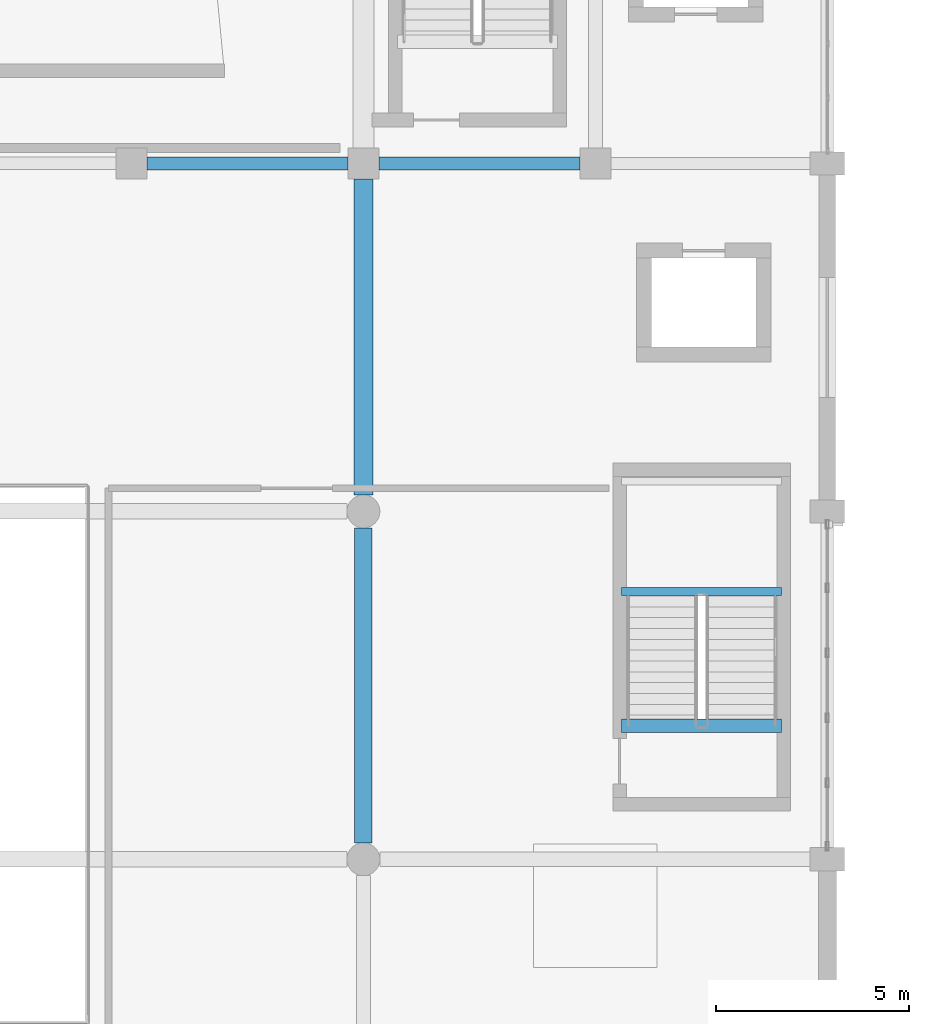
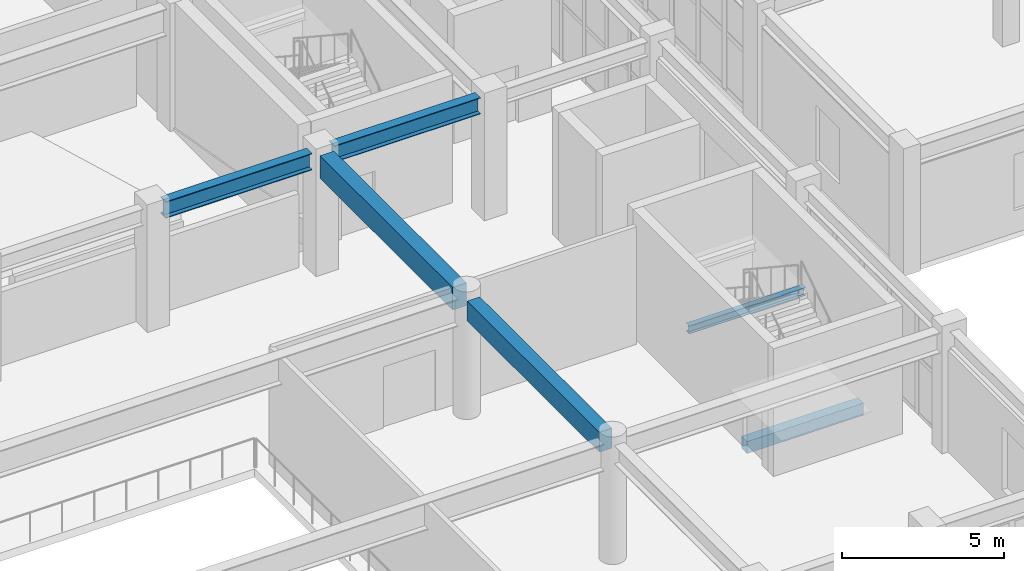
# One storey, part 25 of 96: 6 beams.
"""IFC4 building model written with IfcOpenShell, lengths in metres."""

import ifcopenshell
import ifcopenshell.guid

model = None  # the IFC model being written
_history = None  # IfcOwnerHistory: only IFC2X3 demands one
_inside = {}  # id of a spatial element -> (the spatial element, [elements in it])
_under = {}  # id of a project, library or spatial element -> (it, [spatial elements below it])
_declared = {}  # id of a project -> (the project, [libraries it declares])
_typed = {}  # id of a type object -> (the type object, [elements of that type])
_made_of = {}  # id of a material, layer set ... -> (it, [elements and type objects made of it])


def new_model(schema):
    """Start an empty IFC model of exactly this schema.

    Asked for "IFC4X3", IfcOpenShell would pick the latest addendum, in which some entities
    have other attributes; the version numbers below select the first issue.
    IFC2X3 requires an IfcOwnerHistory on every rooted entity: one is made here for all.
    """
    global model, _history
    if schema == "IFC4X3":
        model = ifcopenshell.file(schema_version=(4, 3, 0, 0))
    else:
        model = ifcopenshell.file(schema=schema)
    _inside.clear()
    _under.clear()
    _declared.clear()
    _typed.clear()
    _made_of.clear()
    _history = None
    if model.schema == "IFC2X3":
        org = make("IfcOrganization", Name="unknown")
        user = make(
            "IfcPersonAndOrganization",
            ThePerson=make("IfcPerson", FamilyName="unknown"),
            TheOrganization=org,
        )
        app = make(
            "IfcApplication",
            ApplicationDeveloper=org,
            Version="unknown",
            ApplicationFullName="unknown",
            ApplicationIdentifier="unknown",
        )
        _history = make(
            "IfcOwnerHistory",
            OwningUser=user,
            OwningApplication=app,
            ChangeAction="ADDED",
            CreationDate=0,
        )
    return model


def make(cls, **values):
    """One entity of the class cls with the attributes given. An attribute that is None is left unset."""
    return model.create_entity(
        cls, **{name: value for name, value in values.items() if value is not None}
    )


def rooted(cls, **values):
    """An entity with a GlobalId (a new one), such as an element, a storey or a relation."""
    return make(cls, GlobalId=ifcopenshell.guid.new(), OwnerHistory=_history, **values)


def si_unit(unit_type, name, prefix=None):
    """IfcSIUnit, for example si_unit("LENGTHUNIT", "METRE", prefix="MILLI")."""
    return make("IfcSIUnit", UnitType=unit_type, Prefix=prefix, Name=name)


def assignment(units):
    """IfcUnitAssignment: the units of a project."""
    return None if units is None else make("IfcUnitAssignment", Units=units)


def point(xyz):
    """IfcCartesianPoint."""
    return None if xyz is None else make("IfcCartesianPoint", Coordinates=xyz)


def direction(xyz):
    """IfcDirection."""
    return None if xyz is None else make("IfcDirection", DirectionRatios=xyz)


def frame(location, z_axis=None, x_axis=None):
    """IfcAxis2Placement3D, a coordinate frame: its origin and axes. An axis left out is left unset."""
    return make(
        "IfcAxis2Placement3D",
        Location=point(location),
        Axis=direction(z_axis),
        RefDirection=direction(x_axis),
    )


def frame_2d(location, x_axis=None):
    """IfcAxis2Placement2D, a coordinate frame in the plane: its origin and x axis."""
    return make(
        "IfcAxis2Placement2D", Location=point(location), RefDirection=direction(x_axis)
    )


def origin():
    """The frame at (0, 0, 0) with its axes left unset."""
    return frame((0.0, 0.0, 0.0))


def origin_2d():
    """The frame at (0, 0) in the plane with its x axis left unset."""
    return frame_2d((0.0, 0.0))


def place(relative_to, where):
    """IfcLocalPlacement: puts the frame where relative to a parent placement (None: the world)."""
    return make(
        "IfcLocalPlacement", PlacementRelTo=relative_to, RelativePlacement=where
    )


def context(
    kind, dimensions, precision=None, world=None, true_north=None, identifier=None
):
    """IfcGeometricRepresentationContext, for example the 3D "Model" context."""
    return make(
        "IfcGeometricRepresentationContext",
        ContextIdentifier=identifier,
        ContextType=kind,
        CoordinateSpaceDimension=dimensions,
        Precision=precision,
        WorldCoordinateSystem=world,
        TrueNorth=true_north,
    )


def subcontext(parent, identifier, kind, view, scale=None):
    """IfcGeometricRepresentationSubContext, for example "Body" below "Model"."""
    return make(
        "IfcGeometricRepresentationSubContext",
        ContextIdentifier=identifier,
        ContextType=kind,
        ParentContext=parent,
        TargetScale=scale,
        TargetView=view,
    )


def project(units=None, contexts=None):
    """IfcProject with its units and contexts."""
    return rooted(
        "IfcProject",
        Name="project",
        RepresentationContexts=contexts,
        UnitsInContext=assignment(units),
    )


def spatial(cls, under=None, at=None, **own):
    """A site, building, storey or space (cls), placed at a placement, below another one or the project."""
    s = rooted(cls, ObjectPlacement=at, **own)
    if under is not None:
        _under.setdefault(under.id(), (under, []))[1].append(s)
    return s


def profile(cls, at=None, kind="AREA", **sizes):
    """A parametric profile (cls). Its sizes go by their IFC names, for example OverallWidth=200.0."""
    return make(cls, ProfileType=kind, Position=at, **sizes)


def rectangle(**sizes):
    """IfcRectangleProfileDef."""
    return profile("IfcRectangleProfileDef", **sizes)


def i_section(**sizes):
    """IfcIShapeProfileDef."""
    return profile("IfcIShapeProfileDef", **sizes)


def extrude(swept, where, along, depth):
    """IfcExtrudedAreaSolid: the profile swept, set in the frame where, extruded along a direction by depth."""
    return make(
        "IfcExtrudedAreaSolid",
        SweptArea=swept,
        Position=where,
        ExtrudedDirection=direction(along),
        Depth=depth,
    )


def shape(context_of_items, identifier, shape_type, items):
    """IfcShapeRepresentation: the items that make up one representation, for example the "Body"."""
    return make(
        "IfcShapeRepresentation",
        ContextOfItems=context_of_items,
        RepresentationIdentifier=identifier,
        RepresentationType=shape_type,
        Items=items,
    )


def material(Name=None, Category=None):
    """IfcMaterial."""
    return make("IfcMaterial", Name=Name, Category=Category)


def material_profile(
    of_material, cross_section, Name=None, Category=None, Priority=None
):
    """IfcMaterialProfile: a cross section and its material."""
    return make(
        "IfcMaterialProfile",
        Name=Name,
        Material=of_material,
        Profile=cross_section,
        Priority=Priority,
        Category=Category,
    )


def profile_set(profiles, Name=None, composite=None):
    """IfcMaterialProfileSet."""
    return make(
        "IfcMaterialProfileSet",
        Name=Name,
        MaterialProfiles=profiles,
        CompositeProfile=composite,
    )


def made_of(thing, what):
    """Note that an element or type object is made of a material, layer set ...; save() writes the relation."""
    if what is not None:
        _made_of.setdefault(what.id(), (what, []))[1].append(thing)
    return thing


def type_object(cls, material=None, **own):
    """A type object (cls), such as IfcWallType, which elements share."""
    return made_of(rooted(cls, **own), material)


def element(
    cls,
    number,
    at=None,
    inside=None,
    cuts=None,
    type_object=None,
    material=None,
    context=None,
    identifier="Body",
    shape_type=None,
    held_by="IfcProductDefinitionShape",
    body=None,
    shapes=None,
    **own,
):
    """One element of the class cls, such as IfcWall. Its Tag is "e" and its number.

    at: its placement. inside: the storey or other place that contains it. cuts: it is an
    opening in that element (IfcRelVoidsElement). A single representation is given by context,
    identifier, shape_type and body (its items); several are given by shapes. held_by: the class
    of the entity that holds the representations. save() writes the other relations.
    """
    e = rooted(cls, Tag="e%d" % number, ObjectPlacement=at, **own)
    if body is not None:
        shapes = [shape(context, identifier, shape_type, body)]
    if shapes is not None:
        e.Representation = make(held_by, Representations=shapes)
    if inside is not None:
        _inside.setdefault(inside.id(), (inside, []))[1].append(e)
    if cuts is not None:
        rooted(
            "IfcRelVoidsElement", RelatingBuildingElement=cuts, RelatedOpeningElement=e
        )
    if type_object is not None:
        _typed.setdefault(type_object.id(), (type_object, []))[1].append(e)
    return made_of(e, material)


def aggregate(whole, parts):
    """IfcRelAggregates: a whole, such as a stair, and the parts it consists of."""
    return rooted("IfcRelAggregates", RelatingObject=whole, RelatedObjects=parts)


def save(model, path):
    """Write the relations noted so far, then the file.

    IfcRelAggregates (storeys below a building ...), IfcRelContainedInSpatialStructure (elements
    in a storey), IfcRelDefinesByType, IfcRelAssociatesMaterial and IfcRelDeclares: one each for
    every whole, place, type object, material and project.
    """
    for whole, parts in _under.values():
        aggregate(whole, parts)
    for where, things in _inside.values():
        rooted(
            "IfcRelContainedInSpatialStructure",
            RelatedElements=things,
            RelatingStructure=where,
        )
    for kind, things in _typed.values():
        rooted("IfcRelDefinesByType", RelatedObjects=things, RelatingType=kind)
    for what, things in _made_of.values():
        rooted("IfcRelAssociatesMaterial", RelatedObjects=things, RelatingMaterial=what)
    for by, libraries in _declared.values():
        rooted("IfcRelDeclares", RelatingContext=by, RelatedDefinitions=libraries)
    model.write(path)


model = new_model("IFC4")

# Units and contexts
model_context = context("Model", 3, precision=1e-05, world=origin(), true_north=direction((0.0, 1.0)))
body_context = subcontext(model_context, "Body", "Model", "MODEL_VIEW")
ifc_project = project(units=[si_unit("LENGTHUNIT", "METRE"), si_unit("AREAUNIT", "SQUARE_METRE"), si_unit("VOLUMEUNIT", "CUBIC_METRE"), si_unit("PLANEANGLEUNIT", "RADIAN"), si_unit("MASSUNIT", "GRAM", prefix="KILO")], contexts=[model_context])

# Site, building, storey
site_placement = place(None, origin())
site = spatial("IfcSite", under=ifc_project, at=site_placement, CompositionType="ELEMENT")
building_placement = place(site_placement, origin())
building = spatial("IfcBuilding", under=site, at=building_placement, Name="Vaelkrest Opera House", CompositionType="ELEMENT")
storey_placement = place(building_placement, frame((0.0, 0.0, 5.39990234375)))
storey = spatial("IfcBuildingStorey", under=building, at=storey_placement, Name="L01", CompositionType="ELEMENT", Elevation=5.39990234375)

# Beams
ifc_material_1 = material(Name="Concrete C50/60", Category="concrete")
ifc_material_profile_1 = material_profile(ifc_material_1, rectangle(XDim=0.449951171875, YDim=0.75, at=origin_2d()), Name="RCB450X750")
ifc_profile_set_1 = profile_set([ifc_material_profile_1], Name="Concrete C50/60")
beam_type_1 = type_object("IfcBeamType", Name="B02", PredefinedType="BEAM", material=ifc_profile_set_1)
beam_1_placement = place(storey_placement, frame((18.0, -46.375, 4.125), z_axis=(0.0, 1.0, 0.0), x_axis=(-1.0, 0.0, 0.0)))
element("IfcBeam", 1, at=beam_1_placement, inside=storey, type_object=beam_type_1, Name="Beam BM-V1-L01-0279", PredefinedType="BEAM", context=body_context, shape_type="SweptSolid", body=[
    extrude(rectangle(XDim=0.449951171875, YDim=0.75, at=origin_2d()), origin(), (0.0, 0.0, 1.0), 8.14990234375),
])
ifc_material_profile_2 = material_profile(ifc_material_1, rectangle(XDim=0.5, YDim=0.85009765625, at=origin_2d()), Name="RCB500X850")
ifc_profile_set_2 = profile_set([ifc_material_profile_2], Name="Concrete C50/60")
beam_type_2 = type_object("IfcBeamType", Name="B03", PredefinedType="BEAM", material=ifc_profile_set_2)
beam_2_placement = place(storey_placement, frame((18.0, -37.375, 4.0751953125), z_axis=(0.0, 1.0, 0.0), x_axis=(-1.0, 0.0, 0.0)))
element("IfcBeam", 2, at=beam_2_placement, inside=storey, type_object=beam_type_2, Name="Beam BM-V1-L01-0280", PredefinedType="BEAM", context=body_context, shape_type="SweptSolid", body=[
    extrude(rectangle(XDim=0.5, YDim=0.85009765625, at=origin_2d()), origin(), (0.0, 0.0, 1.0), 8.175048828125),
])
ifc_material_2 = material(Name="Steel A992 Gr50", Category="steel")
ifc_material_profile_3 = material_profile(ifc_material_2, i_section(OverallWidth=0.327880859375, OverallDepth=0.6279296875, WebThickness=0.0166015625, FlangeThickness=0.027587890625, at=origin_2d()), Name="W24X146")
ifc_profile_set_3 = profile_set([ifc_material_profile_3], Name="Steel A992 Gr50")
beam_type_3 = type_object("IfcBeamType", Name="B09", PredefinedType="BEAM", material=ifc_profile_set_3)
beam_3_placement = place(storey_placement, frame((12.39990234375, -28.800048828125, 4.18603515625), z_axis=(1.0, 0.0, 0.0), x_axis=(0.0, 1.0, 0.0)))
element("IfcBeam", 3, at=beam_3_placement, inside=storey, type_object=beam_type_3, Name="Beam BM-V1-L01-0226", PredefinedType="BEAM", context=body_context, shape_type="SweptSolid", body=[
    extrude(i_section(OverallWidth=0.327880859375, OverallDepth=0.6279296875, WebThickness=0.0166015625, FlangeThickness=0.027587890625, at=origin_2d()), origin(), (0.0, 0.0, 1.0), 5.2001953125),
])
ifc_material_profile_4 = material_profile(ifc_material_2, i_section(OverallWidth=0.326904296875, OverallDepth=0.6220703125, WebThickness=0.015380859375, FlangeThickness=0.0244140625, at=origin_2d()), Name="W24X131")
ifc_profile_set_4 = profile_set([ifc_material_profile_4], Name="Steel A992 Gr50")
beam_type_4 = type_object("IfcBeamType", Name="B19", PredefinedType="BEAM", material=ifc_profile_set_4)
beam_4_placement = place(storey_placement, frame((18.39990234375, -28.800048828125, 4.189208984375), z_axis=(1.0, 0.0, 0.0), x_axis=(0.0, 1.0, 0.0)))
element("IfcBeam", 4, at=beam_4_placement, inside=storey, type_object=beam_type_4, Name="Beam BM-V1-L01-0227", PredefinedType="BEAM", context=body_context, shape_type="SweptSolid", body=[
    extrude(i_section(OverallWidth=0.326904296875, OverallDepth=0.6220703125, WebThickness=0.015380859375, FlangeThickness=0.0244140625, at=origin_2d()), origin(), (0.0, 0.0, 1.0), 5.2001953125),
])
ifc_material_profile_5 = material_profile(ifc_material_2, i_section(OverallWidth=0.202880859375, OverallDepth=0.302978515625, WebThickness=0.007568359375, FlangeThickness=0.01318359375, at=origin_2d()), Name="W12X40")
ifc_profile_set_5 = profile_set([ifc_material_profile_5], Name="Steel A992 Gr50")
beam_type_5 = type_object("IfcBeamType", Name="J02", PredefinedType="JOIST", material=ifc_profile_set_5)
beam_5_placement = place(storey_placement, frame((24.679931640625, -39.8701171875, 2.048583984375), z_axis=(1.0, 0.0, 0.0), x_axis=(0.0, 1.0, 0.0)))
element("IfcBeam", 5, at=beam_5_placement, inside=storey, type_object=beam_type_5, Name="Stair landing bearer beam ST04 L01-1N", PredefinedType="JOIST", context=body_context, shape_type="SweptSolid", body=[
    extrude(i_section(OverallWidth=0.202880859375, OverallDepth=0.302978515625, WebThickness=0.007568359375, FlangeThickness=0.01318359375, at=origin_2d()), origin(), (0.0, 0.0, 1.0), 4.14013671875),
])
ifc_material_profile_6 = material_profile(ifc_material_1, rectangle(XDim=0.35009765625, YDim=0.449951171875, at=origin_2d()), Name="RCB350X450")
ifc_profile_set_6 = profile_set([ifc_material_profile_6], Name="Concrete C50/60")
beam_type_6 = type_object("IfcBeamType", Name="LN01", PredefinedType="LINTEL", material=ifc_profile_set_6)
beam_6_placement = place(storey_placement, frame((24.679931640625, -43.35009765625, -0.224853515625), z_axis=(1.0, 0.0, 0.0), x_axis=(0.0, 1.0, 0.0)))
element("IfcBeam", 6, at=beam_6_placement, inside=storey, type_object=beam_type_6, Name="Stairwell trimmer beam ST04 L01", PredefinedType="LINTEL", context=body_context, shape_type="SweptSolid", body=[
    extrude(rectangle(XDim=0.35009765625, YDim=0.449951171875, at=origin_2d()), origin(), (0.0, 0.0, 1.0), 4.14013671875),
])

save(model, "model.ifc")
